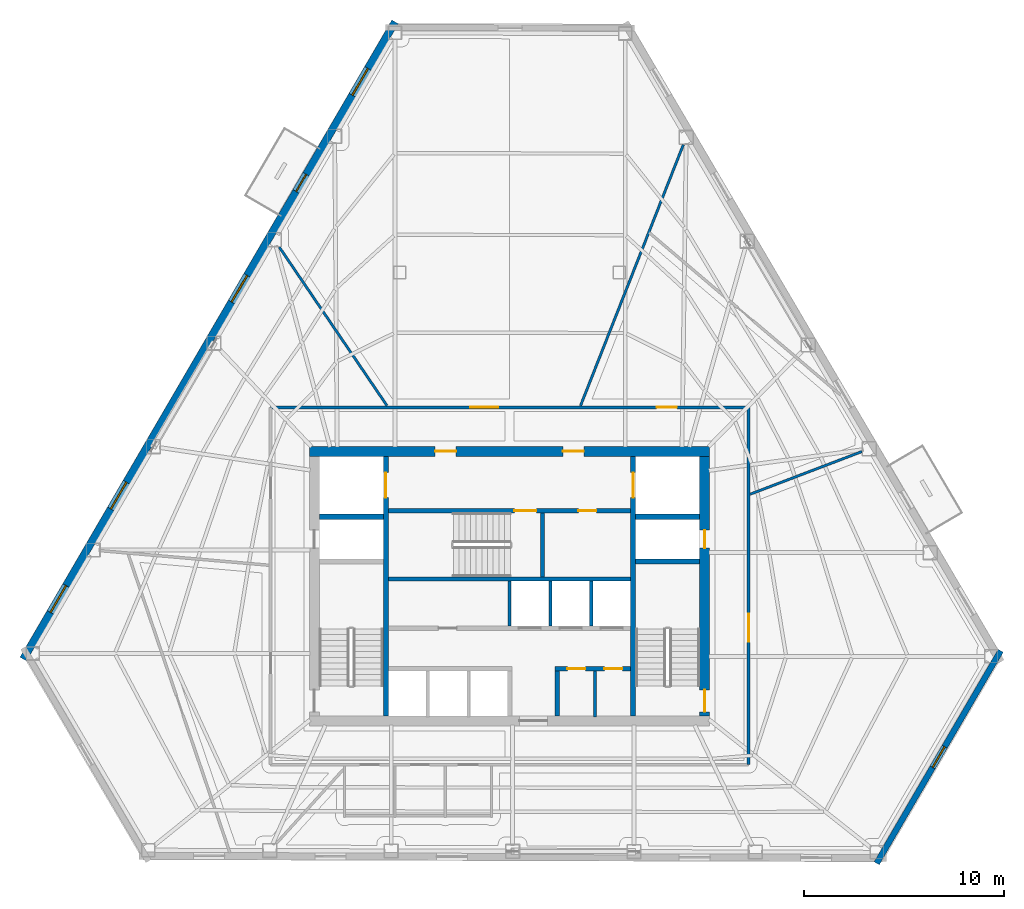
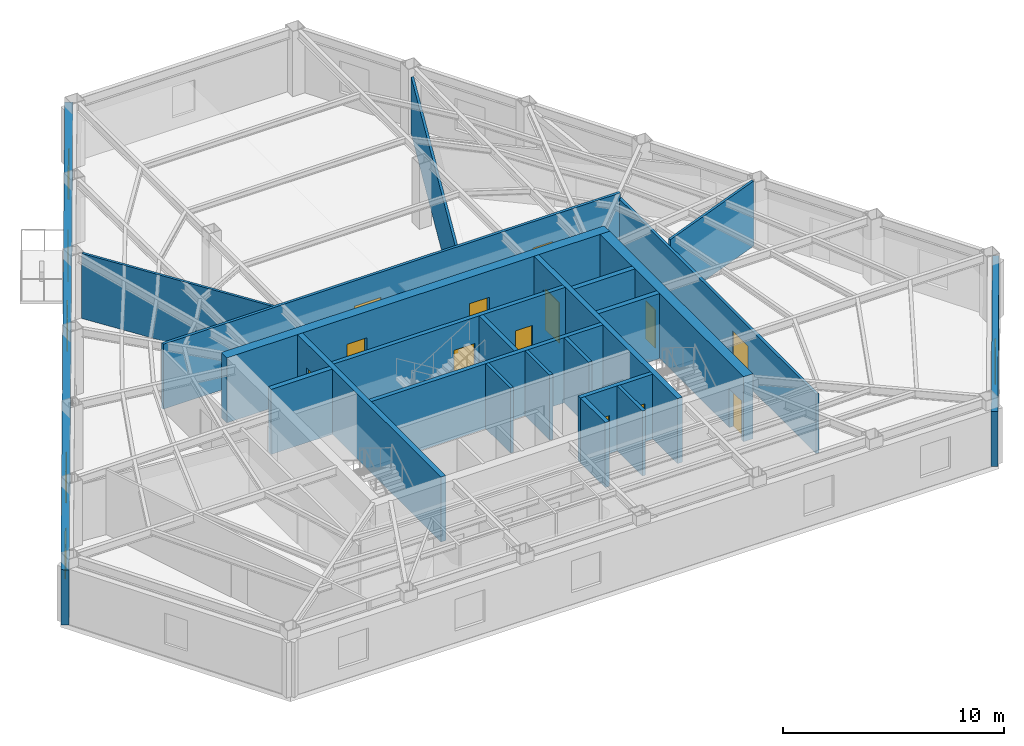
# One storey, part 6 of 11: 23 walls, 14 doors, 5 windows, 19 openings.
"""IFC4 building model written with IfcOpenShell, lengths in metres."""

from ifc_helpers import new_model, si_unit, direction, frame, frame_2d, origin, place, context, subcontext, project, spatial, rectangle, extrude, material, layer, layer_set, type_object, element, fill, save


model = new_model("IFC4")

# Units and contexts
model_context = context("Model", 3, precision=1e-05, world=origin(), true_north=direction((0.0, 1.0)))
body_context = subcontext(model_context, "Body", "Model", "MODEL_VIEW")
ifc_project = project(units=[si_unit("LENGTHUNIT", "METRE"), si_unit("AREAUNIT", "SQUARE_METRE"), si_unit("VOLUMEUNIT", "CUBIC_METRE"), si_unit("PLANEANGLEUNIT", "RADIAN"), si_unit("MASSUNIT", "GRAM", prefix="KILO")], contexts=[model_context])

# Site, building, storey
site_placement = place(None, origin())
site = spatial("IfcSite", under=ifc_project, at=site_placement, CompositionType="ELEMENT")
building_placement = place(site_placement, origin())
building = spatial("IfcBuilding", under=site, at=building_placement, Name="Kavelnor Concourse Tower", CompositionType="ELEMENT")
storey_placement = place(building_placement, frame((0.0, 0.0, 127.85009765625)))
storey = spatial("IfcBuildingStorey", under=building, at=storey_placement, Name="L32", CompositionType="ELEMENT", Elevation=127.85009765625)

# Wall, openings, doors
ifc_material_1 = material(Name="Concrete C60/75", Category="concrete")
ifc_layer_1 = layer(ifc_material_1, 0.5, Name="Concrete C60/75")
ifc_layer_set_1 = layer_set([ifc_layer_1], Name="Concrete C60/75")
wall_type_1 = type_object("IfcWallType", Name="WL-CORE-Z2-500", PredefinedType="SOLIDWALL", material=ifc_layer_set_1)
wall_1_placement = place(storey_placement, frame((27.97998046875, 22.85009765625, 0.0), z_axis=(0.0, 0.0, 1.0), x_axis=(1.0, 0.0, 0.0)))
wall_1 = element("IfcWall", 1, at=wall_1_placement, inside=storey, type_object=wall_type_1, Name="L32 Central Core North Shear Wall", PredefinedType="SOLIDWALL", context=body_context, shape_type="SweptSolid", body=[
    extrude(rectangle(XDim=20.0400390625, YDim=0.5, at=frame_2d((10.02001953125, 0.0))), origin(), (0.0, 0.0, 1.0), 3.599853515625),
])
opening_1_placement = place(wall_1_placement, frame((6.294921875, 0.0, 0.0)))
opening_1 = element("IfcOpeningElement", 2, at=opening_1_placement, cuts=wall_1, Name="Opening FD-105", PredefinedType="OPENING", context=body_context, shape_type="SweptSolid", body=[
    extrude(rectangle(XDim=1.050048828125, YDim=2.14990234375, at=frame_2d((0.52490234375, 1.074951171875))), frame((0.0, 0.260009765625, 0.0), z_axis=(0.0, -1.0, 0.0), x_axis=(1.0, 0.0, 0.0)), (0.0, 0.0, 1.0), 0.52001953125),
])
opening_2_placement = place(wall_1_placement, frame((12.695068359375, 0.0, 0.0)))
opening_2 = element("IfcOpeningElement", 3, at=opening_2_placement, cuts=wall_1, Name="Opening FD-105", PredefinedType="OPENING", context=body_context, shape_type="SweptSolid", body=[
    extrude(rectangle(XDim=1.050048828125, YDim=2.14990234375, at=frame_2d((0.52490234375, 1.074951171875))), frame((0.0, 0.260009765625, 0.0), z_axis=(0.0, -1.0, 0.0), x_axis=(1.0, 0.0, 0.0)), (0.0, 0.0, 1.0), 0.52001953125),
])
ifc_material_2 = material(Name="Steel Grade 350", Category="steel")
door_type_1 = type_object("IfcDoorType", Name="DR-LOBBY-FIRE-1050", OperationType="NOTDEFINED", PredefinedType="DOOR", material=ifc_material_2)
door_1_placement = place(opening_1_placement, origin())
door_1 = element("IfcDoor", 4, at=door_1_placement, inside=storey, type_object=door_type_1, Name="L32 Emergency Lift Lobby West Door", OperationType="SINGLE_SWING_LEFT", OverallHeight=2.14990234375, OverallWidth=1.050048828125, PredefinedType="DOOR", context=body_context, shape_type="SweptSolid", body=[
    extrude(rectangle(XDim=1.050048828125, YDim=2.14990234375, at=frame_2d((0.52490234375, 1.074951171875))), frame((0.0, 0.02490234375, 0.0), z_axis=(0.0, -1.0, 0.0), x_axis=(1.0, 0.0, 0.0)), (0.0, 0.0, 1.0), 0.050048828125),
])
fill(opening_1, door_1)
door_2_placement = place(opening_2_placement, origin())
door_2 = element("IfcDoor", 5, at=door_2_placement, inside=storey, type_object=door_type_1, Name="L32 Emergency Lift Lobby East Door", OperationType="SINGLE_SWING_RIGHT", OverallHeight=2.14990234375, OverallWidth=1.050048828125, PredefinedType="DOOR", context=body_context, shape_type="SweptSolid", body=[
    extrude(rectangle(XDim=1.050048828125, YDim=2.14990234375, at=frame_2d((0.52490234375, 1.074951171875))), frame((0.0, 0.02490234375, 0.0), z_axis=(0.0, -1.0, 0.0), x_axis=(1.0, 0.0, 0.0)), (0.0, 0.0, 1.0), 0.050048828125),
])
fill(opening_2, door_2)

wall_2_placement = place(storey_placement, frame((47.77001953125, 9.60009765625, 0.0), z_axis=(0.0, 0.0, 1.0), x_axis=(0.0, 1.0, 0.0)))
wall_2 = element("IfcWall", 6, at=wall_2_placement, inside=storey, type_object=wall_type_1, Name="L32 Central Core East Shear Wall", PredefinedType="SOLIDWALL", context=body_context, shape_type="SweptSolid", body=[
    extrude(rectangle(XDim=13.0, YDim=0.5, at=frame_2d((6.5, 0.0))), origin(), (0.0, 0.0, 1.0), 3.599853515625),
])
opening_3_placement = place(wall_2_placement, frame((0.199951171875, 0.0, 0.0)))
opening_3 = element("IfcOpeningElement", 7, at=opening_3_placement, cuts=wall_2, Name="Opening FD-110", PredefinedType="OPENING", context=body_context, shape_type="SweptSolid", body=[
    extrude(rectangle(XDim=1.10009765625, YDim=2.14990234375, at=frame_2d((0.550048828125, 1.074951171875))), frame((0.0, 0.260009765625, 0.0), z_axis=(0.0, -1.0, 0.0), x_axis=(1.0, 0.0, 0.0)), (0.0, 0.0, 1.0), 0.52001953125),
])
opening_4_placement = place(wall_2_placement, frame((8.39990234375, 0.0, 0.0)))
opening_4 = element("IfcOpeningElement", 8, at=opening_4_placement, cuts=wall_2, Name="Opening FD-090", PredefinedType="OPENING", context=body_context, shape_type="SweptSolid", body=[
    extrude(rectangle(XDim=0.89990234375, YDim=2.10009765625, at=frame_2d((0.449951171875, 1.050048828125))), frame((0.0, 0.260009765625, 0.0), z_axis=(0.0, -1.0, 0.0), x_axis=(1.0, 0.0, 0.0)), (0.0, 0.0, 1.0), 0.52001953125),
])
door_type_2 = type_object("IfcDoorType", Name="DR-RISER-FIRE-900", OperationType="NOTDEFINED", PredefinedType="DOOR", material=ifc_material_2)
door_3_placement = place(opening_4_placement, origin())
door_3 = element("IfcDoor", 9, at=door_3_placement, inside=storey, type_object=door_type_2, Name="L32 East Riser Access Door", OperationType="SINGLE_SWING_LEFT", OverallHeight=2.10009765625, OverallWidth=0.89990234375, PredefinedType="DOOR", context=body_context, shape_type="SweptSolid", body=[
    extrude(rectangle(XDim=0.89990234375, YDim=2.10009765625, at=frame_2d((0.449951171875, 1.050048828125))), frame((0.0, 0.02490234375, 0.0), z_axis=(0.0, -1.0, 0.0), x_axis=(1.0, 0.0, 0.0)), (0.0, 0.0, 1.0), 0.050048828125),
])
fill(opening_4, door_3)
door_type_3 = type_object("IfcDoorType", Name="DR-STAIR-FIRE-1100", OperationType="NOTDEFINED", PredefinedType="DOOR", material=ifc_material_2)
door_4_placement = place(opening_3_placement, origin())
door_4 = element("IfcDoor", 10, at=door_4_placement, inside=storey, type_object=door_type_3, Name="L32 Stair ST2 Fire Door", OperationType="SINGLE_SWING_RIGHT", OverallHeight=2.14990234375, OverallWidth=1.10009765625, PredefinedType="DOOR", context=body_context, shape_type="SweptSolid", body=[
    extrude(rectangle(XDim=1.10009765625, YDim=2.14990234375, at=frame_2d((0.550048828125, 1.074951171875))), frame((0.0, 0.02490234375, 0.0), z_axis=(0.0, -1.0, 0.0), x_axis=(1.0, 0.0, 0.0)), (0.0, 0.0, 1.0), 0.050048828125),
])
fill(opening_3, door_4)

# Wall, opening, window
ifc_material_3 = material(Name="Buff ironspot clay face brick masonry", Category="masonry")
ifc_layer_2 = layer(ifc_material_3, 0.300048828125, Name="Buff ironspot clay face brick masonry")
ifc_layer_set_2 = layer_set([ifc_layer_2], Name="Buff ironspot clay face brick masonry")
wall_type_2 = type_object("IfcWallType", Name="WL-EXT-BUFF-BRICK-FOLD-300", PredefinedType="STANDARD", material=ifc_layer_set_2)
wall_3_placement = place(storey_placement, frame((62.6005859375, 12.856689453125, 0.0), z_axis=(0.0, 0.0, 1.0), x_axis=(-0.504057013536, -0.863670381051, 0.0)))
wall_3 = element("IfcWall", 11, at=wall_3_placement, inside=storey, type_object=wall_type_2, Name="L32 Exterior Brick Facade Wall E4", PredefinedType="STANDARD", context=body_context, shape_type="SweptSolid", body=[
    extrude(rectangle(XDim=12.3232421875, YDim=0.300048828125, at=frame_2d((6.16162109375, 0.0))), origin(), (0.0, 0.0, 1.0), 3.058837890625),
])
opening_5_placement = place(wall_3_placement, frame((5.561767578125, 0.0, 0.64990234375)))
opening_5 = element("IfcOpeningElement", 12, at=opening_5_placement, cuts=wall_3, Name="Opening W-05", PredefinedType="OPENING", context=body_context, shape_type="SweptSolid", body=[
    extrude(rectangle(XDim=1.199951171875, YDim=1.699951171875, at=frame_2d((0.60009765625, 0.85009765625))), frame((0.0, 0.16015625, 0.0), z_axis=(0.0, -1.0, 0.0), x_axis=(1.0, 0.0, 0.0)), (0.0, 0.0, 1.0), 0.320068359375),
])
ifc_material_4 = material(Name="Double low-E argon insulated glazing", Category="glass")
window_type_1 = type_object("IfcWindowType", Name="WIN-FOLD-1200", PartitioningType="SINGLE_PANEL", PredefinedType="WINDOW", material=ifc_material_4)
window_1_placement = place(opening_5_placement, origin())
window_1 = element("IfcWindow", 13, at=window_1_placement, inside=storey, type_object=window_type_1, Name="L32 Chamfer-Fold Facet Window C2", OverallHeight=1.699951171875, OverallWidth=1.199951171875, PartitioningType="SINGLE_PANEL", PredefinedType="WINDOW", context=body_context, shape_type="SweptSolid", body=[
    extrude(rectangle(XDim=1.199951171875, YDim=1.699951171875, at=frame_2d((0.60009765625, 0.85009765625))), frame((0.0, 0.030029296875, 0.0), z_axis=(0.0, -1.0, 0.0), x_axis=(1.0, 0.0, 0.0)), (0.0, 0.0, 1.0), 0.06005859375),
])
fill(opening_5, window_1)

# Wall, openings, door, windows
ifc_material_5 = material(Name="Red-ochre clay face brick masonry", Category="masonry")
ifc_layer_3 = layer(ifc_material_5, 0.3798828125, Name="Red-ochre clay face brick masonry")
ifc_layer_set_3 = layer_set([ifc_layer_3], Name="Red-ochre clay face brick masonry")
wall_type_3 = type_object("IfcWallType", Name="WL-EXT-RED-BRICK-PIER-380", PredefinedType="STANDARD", material=ifc_layer_set_3)
wall_4_placement = place(storey_placement, frame((13.647705078125, 12.44287109375, 0.0), z_axis=(0.0, 0.0, 1.0), x_axis=(0.504070270963, 0.863662643589, 0.0)))
wall_4 = element("IfcWall", 14, at=wall_4_placement, inside=storey, type_object=wall_type_3, Name="L32 Exterior Brick Facade Wall E1", PredefinedType="STANDARD", context=body_context, shape_type="SweptSolid", body=[
    extrude(rectangle(XDim=36.94775390625, YDim=0.3798828125, at=frame_2d((18.473876953125, 0.0))), origin(), (0.0, 0.0, 1.0), 3.058837890625),
])
opening_6_placement = place(wall_4_placement, frame((27.110595703125, 0.0, 0.0)))
opening_6 = element("IfcOpeningElement", 15, at=opening_6_placement, cuts=wall_4, Name="Opening BD-100", PredefinedType="OPENING", context=body_context, shape_type="SweptSolid", body=[
    extrude(rectangle(XDim=1.0, YDim=2.199951171875, at=frame_2d((0.5, 1.10009765625))), frame((0.0, 0.199951171875, 0.0), z_axis=(0.0, -1.0, 0.0), x_axis=(1.0, 0.0, 0.0)), (0.0, 0.0, 1.0), 0.39990234375),
])
opening_7_placement = place(wall_4_placement, frame((32.697021484375, 0.0, 0.64990234375)))
opening_7 = element("IfcOpeningElement", 16, at=opening_7_placement, cuts=wall_4, Name="Opening W-02", PredefinedType="OPENING", context=body_context, shape_type="SweptSolid", body=[
    extrude(rectangle(XDim=1.550048828125, YDim=1.75, at=frame_2d((0.77490234375, 0.875))), frame((0.0, 0.199951171875, 0.0), z_axis=(0.0, -1.0, 0.0), x_axis=(1.0, 0.0, 0.0)), (0.0, 0.0, 1.0), 0.39990234375),
])
opening_8_placement = place(wall_4_placement, frame((20.7001953125, 0.0, 0.64990234375)))
opening_8 = element("IfcOpeningElement", 17, at=opening_8_placement, cuts=wall_4, Name="Opening W-02", PredefinedType="OPENING", context=body_context, shape_type="SweptSolid", body=[
    extrude(rectangle(XDim=1.550048828125, YDim=1.75, at=frame_2d((0.77490234375, 0.875))), frame((0.0, 0.199951171875, 0.0), z_axis=(0.0, -1.0, 0.0), x_axis=(1.0, 0.0, 0.0)), (0.0, 0.0, 1.0), 0.39990234375),
])
opening_9_placement = place(wall_4_placement, frame((8.70361328125, 0.0, 0.64990234375)))
opening_9 = element("IfcOpeningElement", 18, at=opening_9_placement, cuts=wall_4, Name="Opening W-02", PredefinedType="OPENING", context=body_context, shape_type="SweptSolid", body=[
    extrude(rectangle(XDim=1.550048828125, YDim=1.75, at=frame_2d((0.77490234375, 0.875))), frame((0.0, 0.199951171875, 0.0), z_axis=(0.0, -1.0, 0.0), x_axis=(1.0, 0.0, 0.0)), (0.0, 0.0, 1.0), 0.39990234375),
])
opening_10_placement = place(wall_4_placement, frame((2.705078125, 0.0, 0.64990234375)))
opening_10 = element("IfcOpeningElement", 19, at=opening_10_placement, cuts=wall_4, Name="Opening W-02", PredefinedType="OPENING", context=body_context, shape_type="SweptSolid", body=[
    extrude(rectangle(XDim=1.550048828125, YDim=1.75, at=frame_2d((0.77490234375, 0.875))), frame((0.0, 0.199951171875, 0.0), z_axis=(0.0, -1.0, 0.0), x_axis=(1.0, 0.0, 0.0)), (0.0, 0.0, 1.0), 0.39990234375),
])
ifc_material_6 = material(Name="Anodised aluminium 6063-T6", Category="aluminium")
door_type_4 = type_object("IfcDoorType", Name="DR-BALCONY-EXT-1000", OperationType="NOTDEFINED", PredefinedType="DOOR", material=ifc_material_6)
door_5_placement = place(opening_6_placement, origin())
door_5 = element("IfcDoor", 20, at=door_5_placement, inside=storey, type_object=door_type_4, Name="L32 Tree Balcony 2 Glazed Door", OperationType="SINGLE_SWING_RIGHT", OverallHeight=2.199951171875, OverallWidth=1.0, PredefinedType="DOOR", context=body_context, shape_type="SweptSolid", body=[
    extrude(rectangle(XDim=1.0, YDim=2.199951171875, at=frame_2d((0.5, 1.10009765625))), frame((0.0, 0.02490234375, 0.0), z_axis=(0.0, -1.0, 0.0), x_axis=(1.0, 0.0, 0.0)), (0.0, 0.0, 1.0), 0.050048828125),
])
fill(opening_6, door_5)
window_type_2 = type_object("IfcWindowType", Name="WIN-PIER-Z2-1650", PartitioningType="SINGLE_PANEL", PredefinedType="WINDOW", material=ifc_material_4)
window_2_placement = place(opening_7_placement, origin())
window_2 = element("IfcWindow", 21, at=window_2_placement, inside=storey, type_object=window_type_2, Name="L32 Deep-Set Brick Pier Window F0-B0", OverallHeight=1.75, OverallWidth=1.550048828125, PartitioningType="SINGLE_PANEL", PredefinedType="WINDOW", context=body_context, shape_type="SweptSolid", body=[
    extrude(rectangle(XDim=1.550048828125, YDim=1.75, at=frame_2d((0.77490234375, 0.875))), frame((0.0, 0.030029296875, 0.0), z_axis=(0.0, -1.0, 0.0), x_axis=(1.0, 0.0, 0.0)), (0.0, 0.0, 1.0), 0.06005859375),
])
fill(opening_7, window_2)
window_3_placement = place(opening_8_placement, origin())
window_3 = element("IfcWindow", 22, at=window_3_placement, inside=storey, type_object=window_type_2, Name="L32 Deep-Set Brick Pier Window F0-B2", OverallHeight=1.75, OverallWidth=1.550048828125, PartitioningType="SINGLE_PANEL", PredefinedType="WINDOW", context=body_context, shape_type="SweptSolid", body=[
    extrude(rectangle(XDim=1.550048828125, YDim=1.75, at=frame_2d((0.77490234375, 0.875))), frame((0.0, 0.030029296875, 0.0), z_axis=(0.0, -1.0, 0.0), x_axis=(1.0, 0.0, 0.0)), (0.0, 0.0, 1.0), 0.06005859375),
])
fill(opening_8, window_3)
window_4_placement = place(opening_9_placement, origin())
window_4 = element("IfcWindow", 23, at=window_4_placement, inside=storey, type_object=window_type_2, Name="L32 Deep-Set Brick Pier Window F0-B4", OverallHeight=1.75, OverallWidth=1.550048828125, PartitioningType="SINGLE_PANEL", PredefinedType="WINDOW", context=body_context, shape_type="SweptSolid", body=[
    extrude(rectangle(XDim=1.550048828125, YDim=1.75, at=frame_2d((0.77490234375, 0.875))), frame((0.0, 0.030029296875, 0.0), z_axis=(0.0, -1.0, 0.0), x_axis=(1.0, 0.0, 0.0)), (0.0, 0.0, 1.0), 0.06005859375),
])
fill(opening_9, window_4)
window_5_placement = place(opening_10_placement, origin())
window_5 = element("IfcWindow", 24, at=window_5_placement, inside=storey, type_object=window_type_2, Name="L32 Deep-Set Brick Pier Window F0-B5", OverallHeight=1.75, OverallWidth=1.550048828125, PartitioningType="SINGLE_PANEL", PredefinedType="WINDOW", context=body_context, shape_type="SweptSolid", body=[
    extrude(rectangle(XDim=1.550048828125, YDim=1.75, at=frame_2d((0.77490234375, 0.875))), frame((0.0, 0.030029296875, 0.0), z_axis=(0.0, -1.0, 0.0), x_axis=(1.0, 0.0, 0.0)), (0.0, 0.0, 1.0), 0.06005859375),
])
fill(opening_10, window_5)

# Wall, opening, door
ifc_material_7 = material(Name="Gypsum plasterboard on light-gauge steel studs", Category="steel")
ifc_layer_4 = layer(ifc_material_7, 0.14501953125, Name="Gypsum plasterboard on light-gauge steel studs")
ifc_layer_set_4 = layer_set([ifc_layer_4], Name="Gypsum plasterboard on light-gauge steel studs")
wall_type_4 = type_object("IfcWallType", Name="WL-INT-CORR-145", PredefinedType="PARTITIONING", material=ifc_layer_set_4)
wall_5_placement = place(storey_placement, frame((49.969970703125, 7.14990234375, 0.0), z_axis=(0.0, 0.0, 1.0), x_axis=(0.0, 1.0, 0.0)))
wall_5 = element("IfcWall", 25, at=wall_5_placement, inside=storey, type_object=wall_type_4, Name="L32 Corridor Wall WL-L32-CR-01", PredefinedType="PARTITIONING", context=body_context, shape_type="SweptSolid", body=[
    extrude(rectangle(XDim=17.900146484375, YDim=0.14501953125, at=frame_2d((8.9501953125, 0.0))), origin(), (0.0, 0.0, 1.0), 3.287841796875),
])
opening_11_placement = place(wall_5_placement, frame((6.158203125, 0.0, 0.0)))
opening_11 = element("IfcOpeningElement", 26, at=opening_11_placement, cuts=wall_5, Name="Opening SD-140", PredefinedType="OPENING", context=body_context, shape_type="SweptSolid", body=[
    extrude(rectangle(XDim=1.39990234375, YDim=2.199951171875, at=frame_2d((0.699951171875, 1.10009765625))), frame((0.0, 0.08251953125, 0.0), z_axis=(0.0, -1.0, 0.0), x_axis=(1.0, 0.0, 0.0)), (0.0, 0.0, 1.0), 0.1650390625),
])
ifc_material_8 = material(Name="Solid-core hardwood timber", Category="wood")
door_type_5 = type_object("IfcDoorType", Name="DR-SUITE-ENTRY-1400", OperationType="NOTDEFINED", PredefinedType="DOOR", material=ifc_material_8)
door_6_placement = place(opening_11_placement, origin())
door_6 = element("IfcDoor", 27, at=door_6_placement, inside=storey, type_object=door_type_5, Name="L32 Architectural Design Studio 07 Door", OperationType="SINGLE_SWING_RIGHT", OverallHeight=2.199951171875, OverallWidth=1.39990234375, PredefinedType="DOOR", context=body_context, shape_type="SweptSolid", body=[
    extrude(rectangle(XDim=1.39990234375, YDim=2.199951171875, at=frame_2d((0.699951171875, 1.10009765625))), frame((0.0, 0.02490234375, 0.0), z_axis=(0.0, -1.0, 0.0), x_axis=(1.0, 0.0, 0.0)), (0.0, 0.0, 1.0), 0.050048828125),
])
fill(opening_11, door_6)

# Wall, openings, doors
wall_6_placement = place(storey_placement, frame((49.969970703125, 25.050048828125, 0.0), z_axis=(0.0, 0.0, 1.0), x_axis=(-1.0, 0.0, 0.0)))
wall_6 = element("IfcWall", 28, at=wall_6_placement, inside=storey, type_object=wall_type_4, Name="L32 Corridor Wall WL-L32-CR-02", PredefinedType="PARTITIONING", context=body_context, shape_type="SweptSolid", body=[
    extrude(rectangle(XDim=23.93994140625, YDim=0.14501953125, at=frame_2d((11.969970703125, 0.0))), origin(), (0.0, 0.0, 1.0), 3.599853515625),
])
opening_12_placement = place(wall_6_placement, frame((3.582275390625, 0.0, 0.0)))
opening_12 = element("IfcOpeningElement", 29, at=opening_12_placement, cuts=wall_6, Name="Opening MD-102", PredefinedType="OPENING", context=body_context, shape_type="SweptSolid", body=[
    extrude(rectangle(XDim=1.02001953125, YDim=2.14990234375, at=frame_2d((0.510009765625, 1.074951171875))), frame((0.0, 0.08251953125, 0.0), z_axis=(0.0, -1.0, 0.0), x_axis=(1.0, 0.0, 0.0)), (0.0, 0.0, 1.0), 0.1650390625),
])
opening_13_placement = place(wall_6_placement, frame((12.53466796875, 0.0, 0.0)))
opening_13 = element("IfcOpeningElement", 30, at=opening_13_placement, cuts=wall_6, Name="Opening SD-140", PredefinedType="OPENING", context=body_context, shape_type="SweptSolid", body=[
    extrude(rectangle(XDim=1.39990234375, YDim=2.199951171875, at=frame_2d((0.699951171875, 1.10009765625))), frame((0.0, 0.08251953125, 0.0), z_axis=(0.0, -1.0, 0.0), x_axis=(1.0, 0.0, 0.0)), (0.0, 0.0, 1.0), 0.1650390625),
])
ifc_material_9 = material(Name="Acoustic glazed timber frame", Category="wood")
door_type_6 = type_object("IfcDoorType", Name="DR-MEETING-1020", OperationType="NOTDEFINED", PredefinedType="DOOR", material=ifc_material_9)
door_7_placement = place(opening_12_placement, origin())
door_7 = element("IfcDoor", 31, at=door_7_placement, inside=storey, type_object=door_type_6, Name="L32 Client Boardroom 01 Door", OperationType="SINGLE_SWING_RIGHT", OverallHeight=2.14990234375, OverallWidth=1.02001953125, PredefinedType="DOOR", context=body_context, shape_type="SweptSolid", body=[
    extrude(rectangle(XDim=1.02001953125, YDim=2.14990234375, at=frame_2d((0.510009765625, 1.074951171875))), frame((0.0, 0.02490234375, 0.0), z_axis=(0.0, -1.0, 0.0), x_axis=(1.0, 0.0, 0.0)), (0.0, 0.0, 1.0), 0.050048828125),
])
fill(opening_12, door_7)
door_8_placement = place(opening_13_placement, origin())
door_8 = element("IfcDoor", 32, at=door_8_placement, inside=storey, type_object=door_type_5, Name="L32 Building Staff Breakroom 03 Door", OperationType="SINGLE_SWING_RIGHT", OverallHeight=2.199951171875, OverallWidth=1.39990234375, PredefinedType="DOOR", context=body_context, shape_type="SweptSolid", body=[
    extrude(rectangle(XDim=1.39990234375, YDim=2.199951171875, at=frame_2d((0.699951171875, 1.10009765625))), frame((0.0, 0.02490234375, 0.0), z_axis=(0.0, -1.0, 0.0), x_axis=(1.0, 0.0, 0.0)), (0.0, 0.0, 1.0), 0.050048828125),
])
fill(opening_13, door_8)

# Walls
ifc_layer_5 = layer(ifc_material_7, 0.1650390625, Name="Gypsum plasterboard on light-gauge steel studs")
ifc_layer_set_5 = layer_set([ifc_layer_5], Name="Gypsum plasterboard on light-gauge steel studs")
wall_type_5 = type_object("IfcWallType", Name="WL-INT-FIRE-165", PredefinedType="PARTITIONING", material=ifc_layer_set_5)
for number, where, z_axis, x_axis, name in (
    (33, (38.0, 14.10009765625, 0.0), (0.0, 0.0, 1.0), (0.0, 1.0, 0.0), "L32 Reclaimed Core Zone Partition"),
    (34, (40.050048828125, 14.10009765625, 0.0), (0.0, 0.0, 1.0), (0.0, 1.0, 0.0), "L32 Lift Shaft Divider LP4"),
    (35, (42.10009765625, 14.10009765625, 0.0), (0.0, 0.0, 1.0), (0.0, 1.0, 0.0), "L32 Lift Shaft Divider LP5"),
):
    element("IfcWall", number, at=place(storey_placement, frame(where, z_axis=z_axis, x_axis=x_axis)), inside=storey, type_object=wall_type_5, Name=name, PredefinedType="PARTITIONING", context=body_context, shape_type="SweptSolid", body=[
        extrude(rectangle(XDim=2.239990234375, YDim=0.1650390625, at=frame_2d((1.1201171875, 0.0))), origin(), (0.0, 0.0, 1.0), 3.599853515625),
    ])
wall_7_placement = place(storey_placement, frame((42.280029296875, 9.550048828125, 0.0), z_axis=(0.0, 0.0, 1.0), x_axis=(0.0, 1.0, 0.0)))
element("IfcWall", 36, at=wall_7_placement, inside=storey, type_object=wall_type_5, Name="L32 Core Support Divider", PredefinedType="PARTITIONING", context=body_context, shape_type="SweptSolid", body=[
    extrude(rectangle(XDim=2.2900390625, YDim=0.1650390625, at=frame_2d((1.14501953125, 0.0))), origin(), (0.0, 0.0, 1.0), 3.599853515625),
])
ifc_layer_6 = layer(ifc_material_7, 0.125, Name="Gypsum plasterboard on light-gauge steel studs")
ifc_layer_set_6 = layer_set([ifc_layer_6], Name="Gypsum plasterboard on light-gauge steel studs")
wall_type_6 = type_object("IfcWallType", Name="WL-INT-SUITE-125", PredefinedType="PARTITIONING", material=ifc_layer_set_6)
wall_8_placement = place(storey_placement, frame((50.050537109375, 20.698974609375, 0.0), z_axis=(0.0, 0.0, 1.0), x_axis=(0.934275165929, 0.356552821231, 0.0)))
element("IfcWall", 37, at=wall_8_placement, inside=storey, type_object=wall_type_6, Name="L32 Radial Suite Partition 01", PredefinedType="PARTITIONING", context=body_context, shape_type="SweptSolid", body=[
    extrude(rectangle(XDim=5.99072265625, YDim=0.125, at=frame_2d((2.995361328125, 0.0))), origin(), (0.0, 0.0, 1.0), 3.599853515625),
])
wall_9_placement = place(storey_placement, frame((41.556640625, 25.130615234375, 0.0), z_axis=(0.0, 0.0, 1.0), x_axis=(0.366460710129, 0.930433526874, 0.0)))
element("IfcWall", 38, at=wall_9_placement, inside=storey, type_object=wall_type_6, Name="L32 Radial Suite Partition 02", PredefinedType="PARTITIONING", context=body_context, shape_type="SweptSolid", body=[
    extrude(rectangle(XDim=14.0517578125, YDim=0.125, at=frame_2d((7.02587890625, 0.0))), origin(), (0.0, 0.0, 1.0), 3.140869140625),
])
wall_10_placement = place(storey_placement, frame((31.865478515625, 25.130615234375, 0.0), z_axis=(0.0, 0.0, 1.0), x_axis=(-0.561922740885, 0.827189720243, 0.0)))
element("IfcWall", 39, at=wall_10_placement, inside=storey, type_object=wall_type_6, Name="L32 Radial Suite Partition 03", PredefinedType="PARTITIONING", context=body_context, shape_type="SweptSolid", body=[
    extrude(rectangle(XDim=9.605712890625, YDim=0.125, at=frame_2d((4.802734375, 0.0))), origin(), (0.0, 0.0, 1.0), 3.599853515625),
])

# Wall, openings, doors
ifc_material_10 = material(Name="Concrete C50/60", Category="concrete")
ifc_layer_7 = layer(ifc_material_10, 0.219970703125, Name="Concrete C50/60")
ifc_layer_set_7 = layer_set([ifc_layer_7], Name="Concrete C50/60")
wall_type_7 = type_object("IfcWallType", Name="WL-SHAFT-220", PredefinedType="SOLIDWALL", material=ifc_layer_set_7)
wall_11_placement = place(storey_placement, frame((31.93994140625, 19.8701171875, 0.0), z_axis=(0.0, 0.0, 1.0), x_axis=(1.0, 0.0, 0.0)))
wall_11 = element("IfcWall", 40, at=wall_11_placement, inside=storey, type_object=wall_type_7, Name="L32 Emergency Lift Lobby South Wall", PredefinedType="SOLIDWALL", context=body_context, shape_type="SweptSolid", body=[
    extrude(rectangle(XDim=12.1201171875, YDim=0.219970703125, at=frame_2d((6.06005859375, 0.0))), origin(), (0.0, 0.0, 1.0), 3.599853515625),
])
opening_14_placement = place(wall_11_placement, frame((6.300048828125, 0.0, 0.0)))
opening_14 = element("IfcOpeningElement", 41, at=opening_14_placement, cuts=wall_11, Name="Opening FD-110", PredefinedType="OPENING", context=body_context, shape_type="SweptSolid", body=[
    extrude(rectangle(XDim=1.10009765625, YDim=2.14990234375, at=frame_2d((0.550048828125, 1.074951171875))), frame((0.0, 0.1201171875, 0.0), z_axis=(0.0, -1.0, 0.0), x_axis=(1.0, 0.0, 0.0)), (0.0, 0.0, 1.0), 0.239990234375),
])
opening_15_placement = place(wall_11_placement, frame((9.510009765625, 0.0, 0.0)))
opening_15 = element("IfcOpeningElement", 42, at=opening_15_placement, cuts=wall_11, Name="Opening FD-090", PredefinedType="OPENING", context=body_context, shape_type="SweptSolid", body=[
    extrude(rectangle(XDim=0.89990234375, YDim=2.10009765625, at=frame_2d((0.449951171875, 1.050048828125))), frame((0.0, 0.1201171875, 0.0), z_axis=(0.0, -1.0, 0.0), x_axis=(1.0, 0.0, 0.0)), (0.0, 0.0, 1.0), 0.239990234375),
])
door_9_placement = place(opening_15_placement, origin())
door_9 = element("IfcDoor", 43, at=door_9_placement, inside=storey, type_object=door_type_2, Name="L32 Electrical Comms Door", OperationType="SINGLE_SWING_LEFT", OverallHeight=2.10009765625, OverallWidth=0.89990234375, PredefinedType="DOOR", context=body_context, shape_type="SweptSolid", body=[
    extrude(rectangle(XDim=0.89990234375, YDim=2.10009765625, at=frame_2d((0.449951171875, 1.050048828125))), frame((0.0, 0.02490234375, 0.0), z_axis=(0.0, -1.0, 0.0), x_axis=(1.0, 0.0, 0.0)), (0.0, 0.0, 1.0), 0.050048828125),
])
fill(opening_15, door_9)
door_10_placement = place(opening_14_placement, origin())
door_10 = element("IfcDoor", 44, at=door_10_placement, inside=storey, type_object=door_type_3, Name="L32 Stair ST3 Fire Door", OperationType="SINGLE_SWING_LEFT", OverallHeight=2.14990234375, OverallWidth=1.10009765625, PredefinedType="DOOR", context=body_context, shape_type="SweptSolid", body=[
    extrude(rectangle(XDim=1.10009765625, YDim=2.14990234375, at=frame_2d((0.550048828125, 1.074951171875))), frame((0.0, 0.02490234375, 0.0), z_axis=(0.0, -1.0, 0.0), x_axis=(1.0, 0.0, 0.0)), (0.0, 0.0, 1.0), 0.050048828125),
])
fill(opening_14, door_10)

# Walls
wall_12_placement = place(storey_placement, frame((31.93994140625, 16.449951171875, 0.0), z_axis=(0.0, 0.0, 1.0), x_axis=(1.0, 0.0, 0.0)))
element("IfcWall", 45, at=wall_12_placement, inside=storey, type_object=wall_type_7, Name="L32 Stair ST3 South Core Wall", PredefinedType="SOLIDWALL", context=body_context, shape_type="SweptSolid", body=[
    extrude(rectangle(XDim=12.1201171875, YDim=0.219970703125, at=frame_2d((6.06005859375, 0.0))), origin(), (0.0, 0.0, 1.0), 3.599853515625),
])
wall_13_placement = place(storey_placement, frame((39.64990234375, 16.56005859375, 0.0), z_axis=(0.0, 0.0, 1.0), x_axis=(0.0, 1.0, 0.0)))
element("IfcWall", 46, at=wall_13_placement, inside=storey, type_object=wall_type_7, Name="L32 Stair ST3 East Core Wall", PredefinedType="SOLIDWALL", context=body_context, shape_type="SweptSolid", body=[
    extrude(rectangle(XDim=3.199951171875, YDim=0.219970703125, at=frame_2d((1.60009765625, 0.0))), origin(), (0.0, 0.0, 1.0), 3.599853515625),
])

# Wall, openings, doors
wall_14_placement = place(storey_placement, frame((40.280029296875, 11.949951171875, 0.0), z_axis=(0.0, 0.0, 1.0), x_axis=(1.0, 0.0, 0.0)))
wall_14 = element("IfcWall", 47, at=wall_14_placement, inside=storey, type_object=wall_type_7, Name="L32 Core South Support North Wall", PredefinedType="SOLIDWALL", context=body_context, shape_type="SweptSolid", body=[
    extrude(rectangle(XDim=3.780029296875, YDim=0.219970703125, at=frame_2d((1.89013671875, 0.0))), origin(), (0.0, 0.0, 1.0), 3.599853515625),
])
opening_16_placement = place(wall_14_placement, frame((0.6201171875, 0.0, 0.0)))
opening_16 = element("IfcOpeningElement", 48, at=opening_16_placement, cuts=wall_14, Name="Opening FD-090", PredefinedType="OPENING", context=body_context, shape_type="SweptSolid", body=[
    extrude(rectangle(XDim=0.89990234375, YDim=2.10009765625, at=frame_2d((0.449951171875, 1.050048828125))), frame((0.0, 0.1201171875, 0.0), z_axis=(0.0, -1.0, 0.0), x_axis=(1.0, 0.0, 0.0)), (0.0, 0.0, 1.0), 0.239990234375),
])
opening_17_placement = place(wall_14_placement, frame((2.469970703125, 0.0, 0.0)))
opening_17 = element("IfcOpeningElement", 49, at=opening_17_placement, cuts=wall_14, Name="Opening FD-090", PredefinedType="OPENING", context=body_context, shape_type="SweptSolid", body=[
    extrude(rectangle(XDim=0.89990234375, YDim=2.10009765625, at=frame_2d((0.449951171875, 1.050048828125))), frame((0.0, 0.1201171875, 0.0), z_axis=(0.0, -1.0, 0.0), x_axis=(1.0, 0.0, 0.0)), (0.0, 0.0, 1.0), 0.239990234375),
])
door_11_placement = place(opening_16_placement, origin())
door_11 = element("IfcDoor", 50, at=door_11_placement, inside=storey, type_object=door_type_2, Name="L32 Cleaner Cupboard Door", OperationType="SINGLE_SWING_RIGHT", OverallHeight=2.10009765625, OverallWidth=0.89990234375, PredefinedType="DOOR", context=body_context, shape_type="SweptSolid", body=[
    extrude(rectangle(XDim=0.89990234375, YDim=2.10009765625, at=frame_2d((0.449951171875, 1.050048828125))), frame((0.0, 0.02490234375, 0.0), z_axis=(0.0, -1.0, 0.0), x_axis=(1.0, 0.0, 0.0)), (0.0, 0.0, 1.0), 0.050048828125),
])
fill(opening_16, door_11)
door_12_placement = place(opening_17_placement, origin())
door_12 = element("IfcDoor", 51, at=door_12_placement, inside=storey, type_object=door_type_2, Name="L32 Supplies Store Door", OperationType="SINGLE_SWING_LEFT", OverallHeight=2.10009765625, OverallWidth=0.89990234375, PredefinedType="DOOR", context=body_context, shape_type="SweptSolid", body=[
    extrude(rectangle(XDim=0.89990234375, YDim=2.10009765625, at=frame_2d((0.449951171875, 1.050048828125))), frame((0.0, 0.02490234375, 0.0), z_axis=(0.0, -1.0, 0.0), x_axis=(1.0, 0.0, 0.0)), (0.0, 0.0, 1.0), 0.050048828125),
])
fill(opening_17, door_12)

# Wall
wall_15_placement = place(storey_placement, frame((40.389892578125, 9.60009765625, 0.0), z_axis=(0.0, 0.0, 1.0), x_axis=(0.0, 1.0, 0.0)))
element("IfcWall", 52, at=wall_15_placement, inside=storey, type_object=wall_type_7, Name="L32 Lift Lobby Throat East Wall", PredefinedType="SOLIDWALL", context=body_context, shape_type="SweptSolid", body=[
    extrude(rectangle(XDim=2.239990234375, YDim=0.219970703125, at=frame_2d((1.1201171875, 0.0))), origin(), (0.0, 0.0, 1.0), 3.599853515625),
])

# Wall, opening, door
ifc_layer_8 = layer(ifc_material_10, 0.260009765625, Name="Concrete C50/60")
ifc_layer_set_8 = layer_set([ifc_layer_8], Name="Concrete C50/60")
wall_type_8 = type_object("IfcWallType", Name="WL-SHAFT-260", PredefinedType="SHEAR", material=ifc_layer_set_8)
wall_16_placement = place(storey_placement, frame((31.81005859375, 9.60009765625, 0.0), z_axis=(0.0, 0.0, 1.0), x_axis=(0.0, 1.0, 0.0)))
wall_16 = element("IfcWall", 53, at=wall_16_placement, inside=storey, type_object=wall_type_8, Name="L32 Core West Wing Shear Wall", PredefinedType="SHEAR", context=body_context, shape_type="SweptSolid", body=[
    extrude(rectangle(XDim=13.0, YDim=0.260009765625, at=frame_2d((6.5, 0.0))), origin(), (0.0, 0.0, 1.0), 3.599853515625),
])
opening_18_placement = place(wall_16_placement, frame((10.925048828125, 0.0, 0.0)))
opening_18 = element("IfcOpeningElement", 54, at=opening_18_placement, cuts=wall_16, Name="Opening LD-125", PredefinedType="OPENING", context=body_context, shape_type="SweptSolid", body=[
    extrude(rectangle(XDim=1.25, YDim=2.25, at=frame_2d((0.625, 1.125))), frame((0.0, 0.14013671875, 0.0), z_axis=(0.0, -1.0, 0.0), x_axis=(1.0, 0.0, 0.0)), (0.0, 0.0, 1.0), 0.280029296875),
])
door_type_7 = type_object("IfcDoorType", Name="DR-LIFT-SLIDING-1250", OperationType="NOTDEFINED", PredefinedType="DOOR", material=ifc_material_2)
door_13_placement = place(opening_18_placement, origin())
door_13 = element("IfcDoor", 55, at=door_13_placement, inside=storey, type_object=door_type_7, Name="L32 Emergency Lift FL1 Landing Door", OperationType="DOUBLE_DOOR_SLIDING", OverallHeight=2.25, OverallWidth=1.25, PredefinedType="DOOR", context=body_context, shape_type="SweptSolid", body=[
    extrude(rectangle(XDim=1.25, YDim=2.25, at=frame_2d((0.625, 1.125))), frame((0.0, 0.02490234375, 0.0), z_axis=(0.0, -1.0, 0.0), x_axis=(1.0, 0.0, 0.0)), (0.0, 0.0, 1.0), 0.050048828125),
])
fill(opening_18, door_13)

wall_17_placement = place(storey_placement, frame((44.18994140625, 9.60009765625, 0.0), z_axis=(0.0, 0.0, 1.0), x_axis=(0.0, 1.0, 0.0)))
wall_17 = element("IfcWall", 56, at=wall_17_placement, inside=storey, type_object=wall_type_8, Name="L32 Core East Wing Shear Wall", PredefinedType="SHEAR", context=body_context, shape_type="SweptSolid", body=[
    extrude(rectangle(XDim=13.0, YDim=0.260009765625, at=frame_2d((6.5, 0.0))), origin(), (0.0, 0.0, 1.0), 3.599853515625),
])
opening_19_placement = place(wall_17_placement, frame((10.925048828125, 0.0, 0.0)))
opening_19 = element("IfcOpeningElement", 57, at=opening_19_placement, cuts=wall_17, Name="Opening LD-125", PredefinedType="OPENING", context=body_context, shape_type="SweptSolid", body=[
    extrude(rectangle(XDim=1.25, YDim=2.25, at=frame_2d((0.625, 1.125))), frame((0.0, 0.14013671875, 0.0), z_axis=(0.0, -1.0, 0.0), x_axis=(1.0, 0.0, 0.0)), (0.0, 0.0, 1.0), 0.280029296875),
])
door_14_placement = place(opening_19_placement, origin())
door_14 = element("IfcDoor", 58, at=door_14_placement, inside=storey, type_object=door_type_7, Name="L32 Emergency Lift FL2 Landing Door", OperationType="DOUBLE_DOOR_SLIDING", OverallHeight=2.25, OverallWidth=1.25, PredefinedType="DOOR", context=body_context, shape_type="SweptSolid", body=[
    extrude(rectangle(XDim=1.25, YDim=2.25, at=frame_2d((0.625, 1.125))), frame((0.0, 0.02490234375, 0.0), z_axis=(0.0, -1.0, 0.0), x_axis=(1.0, 0.0, 0.0)), (0.0, 0.0, 1.0), 0.050048828125),
])
fill(opening_19, door_14)

# Walls
for number, where, z_axis, x_axis, name in (
    (59, (28.47998046875, 19.570068359375, 0.0), (0.0, 0.0, 1.0), (1.0, 0.0, 0.0), "L32 Emergency Lift FL1 South Shaft Wall"),
    (60, (44.320068359375, 17.330078125, 0.0), (0.0, 0.0, 1.0), (1.0, 0.0, 0.0), "L32 Stair ST2 North Shaft Wall"),
    (61, (44.320068359375, 19.570068359375, 0.0), (0.0, 0.0, 1.0), (1.0, 0.0, 0.0), "L32 Emergency Lift FL2 South Shaft Wall"),
):
    element("IfcWall", number, at=place(storey_placement, frame(where, z_axis=z_axis, x_axis=x_axis)), inside=storey, type_object=wall_type_8, Name=name, PredefinedType="SHEAR", context=body_context, shape_type="SweptSolid", body=[
        extrude(rectangle(XDim=3.199951171875, YDim=0.260009765625, at=frame_2d((1.60009765625, 0.0))), origin(), (0.0, 0.0, 1.0), 3.599853515625),
    ])

save(model, "model.ifc")
